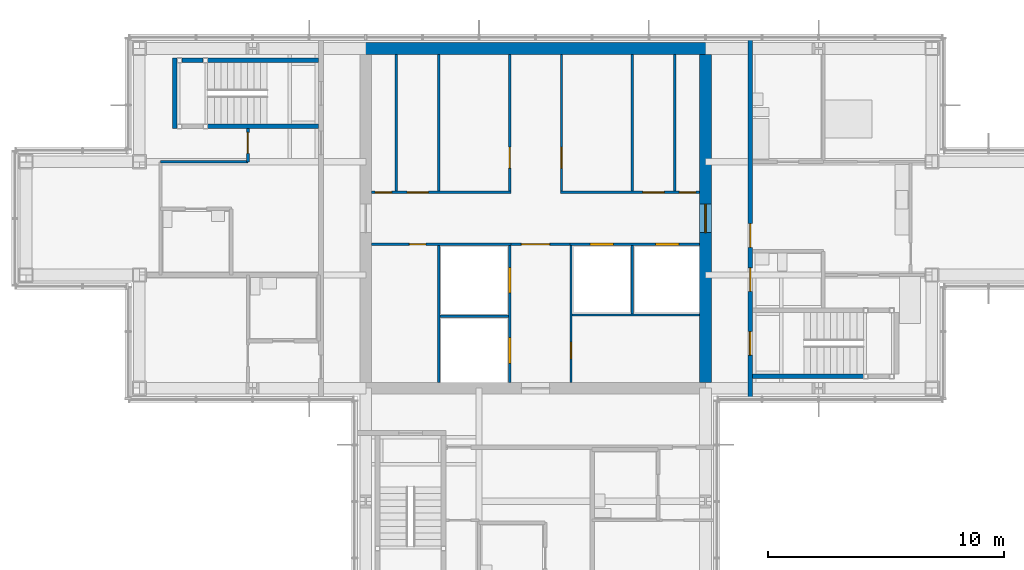
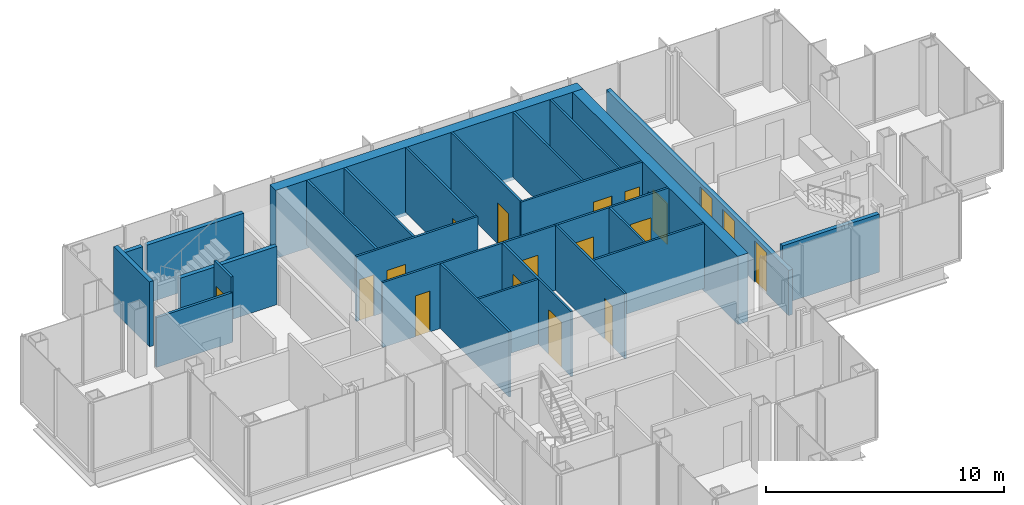
# One storey, part 11 of 15: 27 walls, 18 doors, 18 openings.
"""IFC4 building model written with IfcOpenShell, lengths in metres."""

from ifc_helpers import new_model, si_unit, direction, frame, frame_2d, origin, place, context, subcontext, project, spatial, rectangle, extrude, material, layer, layer_set, type_object, element, fill, save


model = new_model("IFC4")

# Units and contexts
model_context = context("Model", 3, precision=1e-05, world=origin(), true_north=direction((0.0, 1.0)))
body_context = subcontext(model_context, "Body", "Model", "MODEL_VIEW")
ifc_project = project(units=[si_unit("LENGTHUNIT", "METRE"), si_unit("AREAUNIT", "SQUARE_METRE"), si_unit("VOLUMEUNIT", "CUBIC_METRE"), si_unit("PLANEANGLEUNIT", "RADIAN"), si_unit("MASSUNIT", "GRAM", prefix="KILO")], contexts=[model_context])

# Site, building, storey
site_placement = place(None, origin())
site = spatial("IfcSite", under=ifc_project, at=site_placement, CompositionType="ELEMENT")
building_placement = place(site_placement, origin())
building = spatial("IfcBuilding", under=site, at=building_placement, Name="Kvirike Care Tower", CompositionType="ELEMENT")
storey_placement = place(building_placement, frame((0.0, 0.0, 233.0)))
storey = spatial("IfcBuildingStorey", under=building, at=storey_placement, Name="L64", CompositionType="ELEMENT", Elevation=233.0)

# Wall
ifc_material_1 = material(Name="Concrete C40/50", Category="concrete")
ifc_layer_1 = layer(ifc_material_1, 0.5)
ifc_layer_set_1 = layer_set([ifc_layer_1], Name="CORE WALL 500 C40-50")
wall_type_1 = type_object("IfcWallType", Name="CORE WALL 500 C40-50", PredefinedType="SHEAR", material=ifc_layer_set_1)
wall_1_placement = place(storey_placement, frame((29.050048828125, 43.199951171875, -0.169921875), z_axis=(0.0, 0.0, 1.0), x_axis=(-1.0, 0.0, 0.0)))
element("IfcWall", 1, at=wall_1_placement, inside=storey, type_object=wall_type_1, Name="Core wall N L64", PredefinedType="SHEAR", context=body_context, shape_type="SweptSolid", body=[
    extrude(rectangle(XDim=14.900146484375, YDim=0.5, at=frame_2d((7.4501953125, 0.0))), origin(), (0.0, 0.0, 1.0), 3.5),
])

# Wall, opening, door
wall_2_placement = place(storey_placement, frame((28.800048828125, 29.050048828125, -0.169921875), z_axis=(0.0, 0.0, 1.0), x_axis=(0.0, 1.0, 0.0)))
wall_2 = element("IfcWall", 2, at=wall_2_placement, inside=storey, type_object=wall_type_1, Name="Core wall E L64", PredefinedType="SHEAR", context=body_context, shape_type="SweptSolid", body=[
    extrude(rectangle(XDim=13.89990234375, YDim=0.5, at=frame_2d((6.949951171875, 0.0))), origin(), (0.0, 0.0, 1.0), 3.5),
])
opening_1_placement = place(wall_2_placement, frame((6.35009765625, 0.0, 0.169921875)))
opening_1 = element("IfcOpeningElement", 3, at=opening_1_placement, cuts=wall_2, Name="Opening 64-038", PredefinedType="OPENING", context=body_context, shape_type="SweptSolid", body=[
    extrude(rectangle(XDim=1.199951171875, YDim=2.10009765625, at=frame_2d((0.60009765625, 1.050048828125))), frame((0.0, 0.260498046875, 0.0), z_axis=(0.0, -1.0, 0.0), x_axis=(1.0, 0.0, 0.0)), (0.0, 0.0, 1.0), 0.52099609375),
])
ifc_material_2 = material(Name="Timber door set", Category="wood")
door_type_1 = type_object("IfcDoorType", Name="CORE DOOR 1200", OperationType="SINGLE_SWING_LEFT", PredefinedType="DOOR", material=ifc_material_2)
door_1_placement = place(opening_1_placement, origin())
door_1 = element("IfcDoor", 4, at=door_1_placement, inside=storey, type_object=door_type_1, Name="Core door E L64", OperationType="SINGLE_SWING_LEFT", OverallHeight=2.10009765625, OverallWidth=1.199951171875, PredefinedType="DOOR", context=body_context, shape_type="SweptSolid", body=[
    extrude(rectangle(XDim=1.199951171875, YDim=2.10009765625, at=frame_2d((0.60009765625, 1.050048828125))), frame((0.0, 0.02685546875, 0.0), z_axis=(0.0, -1.0, 0.0), x_axis=(1.0, 0.0, 0.0)), (0.0, 0.0, 1.0), 0.053955078125),
])
fill(opening_1, door_1)

# Wall, openings, doors
ifc_material_3 = material(Name="Plasterboard corridor wall", Category="gypsum")
ifc_layer_2 = layer(ifc_material_3, 0.199951171875)
ifc_layer_set_2 = layer_set([ifc_layer_2], Name="CORRIDOR WALL 200")
wall_type_2 = type_object("IfcWallType", Name="CORRIDOR WALL 200", PredefinedType="PARTITIONING", material=ifc_layer_set_2)
wall_3_placement = place(storey_placement, frame((30.699951171875, 28.344970703125, 0.0), z_axis=(0.0, 0.0, 1.0), x_axis=(0.0, 1.0, 0.0)))
wall_3 = element("IfcWall", 5, at=wall_3_placement, inside=storey, type_object=wall_type_2, Name="Corridor Wall 200 L64", PredefinedType="PARTITIONING", context=body_context, shape_type="SweptSolid", body=[
    extrude(rectangle(XDim=15.31005859375, YDim=0.199951171875, at=frame_2d((7.655029296875, 0.0))), origin(), (0.0, 0.0, 1.0), 2.320068359375),
])
opening_2_placement = place(wall_3_placement, frame((1.85498046875, 0.0, 0.0)))
opening_2 = element("IfcOpeningElement", 6, at=opening_2_placement, cuts=wall_3, Name="Opening 64-020", PredefinedType="OPENING", context=body_context, shape_type="SweptSolid", body=[
    extrude(rectangle(XDim=1.0, YDim=2.10009765625, at=frame_2d((0.5, 1.050048828125))), frame((0.0, 0.110595703125, 0.0), z_axis=(0.0, -1.0, 0.0), x_axis=(1.0, 0.0, 0.0)), (0.0, 0.0, 1.0), 0.220947265625),
])
opening_3_placement = place(wall_3_placement, frame((4.554931640625, 0.0, 0.0)))
opening_3 = element("IfcOpeningElement", 7, at=opening_3_placement, cuts=wall_3, Name="Opening 64-021", PredefinedType="OPENING", context=body_context, shape_type="SweptSolid", body=[
    extrude(rectangle(XDim=1.0, YDim=2.10009765625, at=frame_2d((0.5, 1.050048828125))), frame((0.0, 0.110595703125, 0.0), z_axis=(0.0, -1.0, 0.0), x_axis=(1.0, 0.0, 0.0)), (0.0, 0.0, 1.0), 0.220947265625),
])
opening_4_placement = place(wall_3_placement, frame((6.429931640625, 0.0, 0.0)))
opening_4 = element("IfcOpeningElement", 8, at=opening_4_placement, cuts=wall_3, Name="Opening 64-022", PredefinedType="OPENING", context=body_context, shape_type="SweptSolid", body=[
    extrude(rectangle(XDim=1.0, YDim=2.10009765625, at=frame_2d((0.5, 1.050048828125))), frame((0.0, 0.110595703125, 0.0), z_axis=(0.0, -1.0, 0.0), x_axis=(1.0, 0.0, 0.0)), (0.0, 0.0, 1.0), 0.220947265625),
])
ifc_material_4 = material(Name="Timber door set", Category="wood")
door_type_2 = type_object("IfcDoorType", Name="FLAT ENTRANCE DOOR 1000", OperationType="SINGLE_SWING_LEFT", PredefinedType="DOOR", material=ifc_material_4)
door_2_placement = place(opening_4_placement, frame((1.0, 0.0, 0.0), z_axis=(0.0, 0.0, 1.0), x_axis=(-1.0, 0.0, 0.0)))
door_2 = element("IfcDoor", 9, at=door_2_placement, inside=storey, type_object=door_type_2, Name="Two-bedroom apartment entrance", OperationType="SINGLE_SWING_LEFT", OverallHeight=2.10009765625, OverallWidth=1.0, PredefinedType="DOOR", context=body_context, shape_type="SweptSolid", body=[
    extrude(rectangle(XDim=1.0, YDim=2.10009765625, at=frame_2d((0.5, 1.050048828125))), frame((0.0, 0.02685546875, 0.0), z_axis=(0.0, -1.0, 0.0), x_axis=(1.0, 0.0, 0.0)), (0.0, 0.0, 1.0), 0.053955078125),
])
fill(opening_4, door_2)
ifc_material_5 = material(Name="Timber door set", Category="wood")
door_type_3 = type_object("IfcDoorType", Name="STAIR DOOR 1000", OperationType="SINGLE_SWING_LEFT", PredefinedType="DOOR", material=ifc_material_5)
door_3_placement = place(opening_2_placement, frame((1.0, 0.0, 0.0), z_axis=(0.0, 0.0, 1.0), x_axis=(-1.0, 0.0, 0.0)))
door_3 = element("IfcDoor", 10, at=door_3_placement, inside=storey, type_object=door_type_3, Name="Stair 2 door", OperationType="SINGLE_SWING_LEFT", OverallHeight=2.10009765625, OverallWidth=1.0, PredefinedType="DOOR", context=body_context, shape_type="SweptSolid", body=[
    extrude(rectangle(XDim=1.0, YDim=2.10009765625, at=frame_2d((0.5, 1.050048828125))), frame((0.0, 0.031982421875, 0.0), z_axis=(0.0, -1.0, 0.0), x_axis=(1.0, 0.0, 0.0)), (0.0, 0.0, 1.0), 0.06396484375),
])
fill(opening_2, door_3)
ifc_material_6 = material(Name="Timber door set", Category="wood")
door_type_4 = type_object("IfcDoorType", Name="WC DOOR 1000", OperationType="SINGLE_SWING_LEFT", PredefinedType="DOOR", material=ifc_material_6)
door_4_placement = place(opening_3_placement, frame((1.0, 0.0, 0.0), z_axis=(0.0, 0.0, 1.0), x_axis=(-1.0, 0.0, 0.0)))
door_4 = element("IfcDoor", 11, at=door_4_placement, inside=storey, type_object=door_type_4, Name="Accessible WC door", OperationType="SINGLE_SWING_LEFT", OverallHeight=2.10009765625, OverallWidth=1.0, PredefinedType="DOOR", context=body_context, shape_type="SweptSolid", body=[
    extrude(rectangle(XDim=1.0, YDim=2.10009765625, at=frame_2d((0.5, 1.050048828125))), frame((0.0, 0.02685546875, 0.0), z_axis=(0.0, -1.0, 0.0), x_axis=(1.0, 0.0, 0.0)), (0.0, 0.0, 1.0), 0.053955078125),
])
fill(opening_3, door_4)

# Wall, opening, door
ifc_material_7 = material(Name="Plasterboard partition", Category="gypsum")
ifc_layer_3 = layer(ifc_material_7, 0.1201171875)
ifc_layer_set_3 = layer_set([ifc_layer_3], Name="PARTITION 120")
wall_type_3 = type_object("IfcWallType", Name="PARTITION 120", PredefinedType="PARTITIONING", material=ifc_layer_set_3)
wall_4_placement = place(storey_placement, frame((9.39990234375, 39.800048828125, 0.0), z_axis=(0.0, 0.0, 1.0), x_axis=(0.0, -1.0, 0.0)))
wall_4 = element("IfcWall", 12, at=wall_4_placement, inside=storey, type_object=wall_type_3, Name="Partition 120 L64", PredefinedType="PARTITIONING", context=body_context, shape_type="SweptSolid", body=[
    extrude(rectangle(XDim=1.400146484375, YDim=0.1201171875, at=frame_2d((0.7001953125, 0.0))), origin(), (0.0, 0.0, 1.0), 3.330078125),
])
opening_5_placement = place(wall_4_placement, frame((0.14990234375, 0.0, 0.0)))
opening_5 = element("IfcOpeningElement", 13, at=opening_5_placement, cuts=wall_4, Name="Opening 64-002", PredefinedType="OPENING", context=body_context, shape_type="SweptSolid", body=[
    extrude(rectangle(XDim=0.89990234375, YDim=2.10009765625, at=frame_2d((0.449951171875, 1.050048828125))), frame((0.0, 0.070556640625, 0.0), z_axis=(0.0, -1.0, 0.0), x_axis=(1.0, 0.0, 0.0)), (0.0, 0.0, 1.0), 0.14111328125),
])
ifc_material_8 = material(Name="Timber door set", Category="wood")
door_type_5 = type_object("IfcDoorType", Name="INTERNAL DOOR 900", OperationType="SINGLE_SWING_LEFT", PredefinedType="DOOR", material=ifc_material_8)
door_5_placement = place(opening_5_placement, origin())
door_5 = element("IfcDoor", 14, at=door_5_placement, inside=storey, type_object=door_type_5, Name="Staff training room door", OperationType="SINGLE_SWING_RIGHT", OverallHeight=2.10009765625, OverallWidth=0.89990234375, PredefinedType="DOOR", context=body_context, shape_type="SweptSolid", body=[
    extrude(rectangle(XDim=0.89990234375, YDim=2.10009765625, at=frame_2d((0.449951171875, 1.050048828125))), frame((0.0, 0.02197265625, 0.0), z_axis=(0.0, -1.0, 0.0), x_axis=(1.0, 0.0, 0.0)), (0.0, 0.0, 1.0), 0.0439453125),
])
fill(opening_5, door_5)

# Walls
wall_5_placement = place(storey_placement, frame((5.699951171875, 38.39990234375, 0.0), z_axis=(0.0, 0.0, 1.0), x_axis=(1.0, 0.0, 0.0)))
element("IfcWall", 15, at=wall_5_placement, inside=storey, type_object=wall_type_3, Name="Partition 120 L64", PredefinedType="PARTITIONING", context=body_context, shape_type="SweptSolid", body=[
    extrude(rectangle(XDim=3.699951171875, YDim=0.1201171875, at=frame_2d((1.85009765625, 0.0))), origin(), (0.0, 0.0, 1.0), 2.550048828125),
])
ifc_material_9 = material(Name="Gypsum shaft wall system", Category="gypsum")
ifc_layer_4 = layer(ifc_material_9, 0.10009765625)
ifc_layer_set_4 = layer_set([ifc_layer_4], Name="SHAFT WALL 100")
wall_type_4 = type_object("IfcWallType", Name="SHAFT WALL 100", PredefinedType="SOLIDWALL", material=ifc_layer_set_4)
for number, where, z_axis, x_axis, name in (
    (16, (15.699951171875, 37.14990234375, 0.0), (0.0, 0.0, 1.0), (0.0, 1.0, 0.0), "Shaft Wall 100 L64"),
    (17, (27.5, 37.14990234375, 0.0), (0.0, 0.0, 1.0), (0.0, 1.0, 0.0), "Shaft Wall 100 L64"),
):
    element("IfcWall", number, at=place(storey_placement, frame(where, z_axis=z_axis, x_axis=x_axis)), inside=storey, type_object=wall_type_4, Name=name, PredefinedType="SOLIDWALL", context=body_context, shape_type="SweptSolid", body=[
        extrude(rectangle(XDim=5.800048828125, YDim=0.10009765625, at=frame_2d((2.89990234375, 0.0))), origin(), (0.0, 0.0, 1.0), 3.330078125),
    ])

# Wall, openings, doors
wall_6_placement = place(storey_placement, frame((20.5, 29.050048828125, 0.0), z_axis=(0.0, 0.0, 1.0), x_axis=(0.0, 1.0, 0.0)))
wall_6 = element("IfcWall", 18, at=wall_6_placement, inside=storey, type_object=wall_type_4, Name="Shaft Wall 100 L64", PredefinedType="SOLIDWALL", context=body_context, shape_type="SweptSolid", body=[
    extrude(rectangle(XDim=5.800048828125, YDim=0.10009765625, at=frame_2d((2.89990234375, 0.0))), origin(), (0.0, 0.0, 1.0), 3.330078125),
])
opening_6_placement = place(wall_6_placement, frame((0.800048828125, 0.0, 0.0)))
opening_6 = element("IfcOpeningElement", 19, at=opening_6_placement, cuts=wall_6, Name="Opening 64-023", PredefinedType="OPENING", context=body_context, shape_type="SweptSolid", body=[
    extrude(rectangle(XDim=1.10009765625, YDim=2.300048828125, at=frame_2d((0.550048828125, 1.14990234375))), frame((0.0, 0.060546875, 0.0), z_axis=(0.0, -1.0, 0.0), x_axis=(1.0, 0.0, 0.0)), (0.0, 0.0, 1.0), 0.12109375),
])
opening_7_placement = place(wall_6_placement, frame((3.77490234375, 0.0, 0.0)))
opening_7 = element("IfcOpeningElement", 20, at=opening_7_placement, cuts=wall_6, Name="Opening 64-024", PredefinedType="OPENING", context=body_context, shape_type="SweptSolid", body=[
    extrude(rectangle(XDim=1.10009765625, YDim=2.300048828125, at=frame_2d((0.550048828125, 1.14990234375))), frame((0.0, 0.060546875, 0.0), z_axis=(0.0, -1.0, 0.0), x_axis=(1.0, 0.0, 0.0)), (0.0, 0.0, 1.0), 0.12109375),
])
ifc_material_10 = material(Name="Aluminium door frame", Category="aluminium")
door_type_6 = type_object("IfcDoorType", Name="FIRE-FIGHTING LIFT LANDING DOOR 1100", OperationType="SLIDING_TO_LEFT", PredefinedType="DOOR", material=ifc_material_10)
door_6_placement = place(opening_6_placement, origin())
door_6 = element("IfcDoor", 21, at=door_6_placement, inside=storey, type_object=door_type_6, Name="Lift FF1 landing door", OperationType="SLIDING_TO_LEFT", OverallHeight=2.300048828125, OverallWidth=1.10009765625, PredefinedType="DOOR", context=body_context, shape_type="SweptSolid", body=[
    extrude(rectangle(XDim=1.10009765625, YDim=2.300048828125, at=frame_2d((0.550048828125, 1.14990234375))), frame((0.0, 0.0498046875, 0.0), z_axis=(0.0, -1.0, 0.0), x_axis=(1.0, 0.0, 0.0)), (0.0, 0.0, 1.0), 0.099609375),
])
fill(opening_6, door_6)
door_7_placement = place(opening_7_placement, origin())
door_7 = element("IfcDoor", 22, at=door_7_placement, inside=storey, type_object=door_type_6, Name="Lift FF2 landing door", OperationType="SLIDING_TO_LEFT", OverallHeight=2.300048828125, OverallWidth=1.10009765625, PredefinedType="DOOR", context=body_context, shape_type="SweptSolid", body=[
    extrude(rectangle(XDim=1.10009765625, YDim=2.300048828125, at=frame_2d((0.550048828125, 1.14990234375))), frame((0.0, 0.0498046875, 0.0), z_axis=(0.0, -1.0, 0.0), x_axis=(1.0, 0.0, 0.0)), (0.0, 0.0, 1.0), 0.099609375),
])
fill(opening_7, door_7)

# Wall, opening, door
wall_7_placement = place(storey_placement, frame((20.5, 37.14990234375, 0.0), z_axis=(0.0, 0.0, 1.0), x_axis=(0.0, 1.0, 0.0)))
wall_7 = element("IfcWall", 23, at=wall_7_placement, inside=storey, type_object=wall_type_4, Name="Shaft Wall 100 L64", PredefinedType="SOLIDWALL", context=body_context, shape_type="SweptSolid", body=[
    extrude(rectangle(XDim=5.800048828125, YDim=0.10009765625, at=frame_2d((2.89990234375, 0.0))), origin(), (0.0, 0.0, 1.0), 3.330078125),
])
opening_8_placement = place(wall_7_placement, frame((0.97509765625, 0.0, 0.0)))
opening_8 = element("IfcOpeningElement", 24, at=opening_8_placement, cuts=wall_7, Name="Opening 64-025", PredefinedType="OPENING", context=body_context, shape_type="SweptSolid", body=[
    extrude(rectangle(XDim=0.89990234375, YDim=2.10009765625, at=frame_2d((0.449951171875, 1.050048828125))), frame((0.0, 0.060546875, 0.0), z_axis=(0.0, -1.0, 0.0), x_axis=(1.0, 0.0, 0.0)), (0.0, 0.0, 1.0), 0.12109375),
])
ifc_material_11 = material(Name="Timber door set", Category="wood")
door_type_7 = type_object("IfcDoorType", Name="STORE DOOR 900", OperationType="SINGLE_SWING_LEFT", PredefinedType="DOOR", material=ifc_material_11)
door_8_placement = place(opening_8_placement, origin())
door_8 = element("IfcDoor", 25, at=door_8_placement, inside=storey, type_object=door_type_7, Name="Staff room door", OperationType="SINGLE_SWING_RIGHT", OverallHeight=2.10009765625, OverallWidth=0.89990234375, PredefinedType="DOOR", context=body_context, shape_type="SweptSolid", body=[
    extrude(rectangle(XDim=0.89990234375, YDim=2.10009765625, at=frame_2d((0.449951171875, 1.050048828125))), frame((0.0, 0.02685546875, 0.0), z_axis=(0.0, -1.0, 0.0), x_axis=(1.0, 0.0, 0.0)), (0.0, 0.0, 1.0), 0.053955078125),
])
fill(opening_8, door_8)

wall_8_placement = place(storey_placement, frame((22.699951171875, 37.14990234375, 0.0), z_axis=(0.0, 0.0, 1.0), x_axis=(0.0, 1.0, 0.0)))
wall_8 = element("IfcWall", 26, at=wall_8_placement, inside=storey, type_object=wall_type_4, Name="Shaft Wall 100 L64", PredefinedType="SOLIDWALL", context=body_context, shape_type="SweptSolid", body=[
    extrude(rectangle(XDim=5.800048828125, YDim=0.10009765625, at=frame_2d((2.89990234375, 0.0))), origin(), (0.0, 0.0, 1.0), 3.330078125),
])
opening_9_placement = place(wall_8_placement, frame((0.97509765625, 0.0, 0.0)))
opening_9 = element("IfcOpeningElement", 27, at=opening_9_placement, cuts=wall_8, Name="Opening 64-026", PredefinedType="OPENING", context=body_context, shape_type="SweptSolid", body=[
    extrude(rectangle(XDim=0.89990234375, YDim=2.10009765625, at=frame_2d((0.449951171875, 1.050048828125))), frame((0.0, 0.060546875, 0.0), z_axis=(0.0, -1.0, 0.0), x_axis=(1.0, 0.0, 0.0)), (0.0, 0.0, 1.0), 0.12109375),
])
door_9_placement = place(opening_9_placement, frame((0.89990234375, 0.0, 0.0), z_axis=(0.0, 0.0, 1.0), x_axis=(-1.0, 0.0, 0.0)))
door_9 = element("IfcDoor", 28, at=door_9_placement, inside=storey, type_object=door_type_7, Name="Records store door", OperationType="SINGLE_SWING_LEFT", OverallHeight=2.10009765625, OverallWidth=0.89990234375, PredefinedType="DOOR", context=body_context, shape_type="SweptSolid", body=[
    extrude(rectangle(XDim=0.89990234375, YDim=2.10009765625, at=frame_2d((0.449951171875, 1.050048828125))), frame((0.0, 0.02685546875, 0.0), z_axis=(0.0, -1.0, 0.0), x_axis=(1.0, 0.0, 0.0)), (0.0, 0.0, 1.0), 0.053955078125),
])
fill(opening_9, door_9)

wall_9_placement = place(storey_placement, frame((23.10009765625, 29.050048828125, 0.0), z_axis=(0.0, 0.0, 1.0), x_axis=(0.0, 1.0, 0.0)))
wall_9 = element("IfcWall", 29, at=wall_9_placement, inside=storey, type_object=wall_type_4, Name="Shaft Wall 100 L64", PredefinedType="SOLIDWALL", context=body_context, shape_type="SweptSolid", body=[
    extrude(rectangle(XDim=5.800048828125, YDim=0.10009765625, at=frame_2d((2.89990234375, 0.0))), origin(), (0.0, 0.0, 1.0), 3.330078125),
])
opening_10_placement = place(wall_9_placement, frame((1.0, 0.0, 0.0)))
opening_10 = element("IfcOpeningElement", 30, at=opening_10_placement, cuts=wall_9, Name="Opening 64-027", PredefinedType="OPENING", context=body_context, shape_type="SweptSolid", body=[
    extrude(rectangle(XDim=0.699951171875, YDim=2.10009765625, at=frame_2d((0.35009765625, 1.050048828125))), frame((0.0, 0.060546875, 0.0), z_axis=(0.0, -1.0, 0.0), x_axis=(1.0, 0.0, 0.0)), (0.0, 0.0, 1.0), 0.12109375),
])
ifc_material_12 = material(Name="Timber door set", Category="wood")
door_type_8 = type_object("IfcDoorType", Name="RISER DOOR 700", OperationType="SINGLE_SWING_LEFT", PredefinedType="DOOR", material=ifc_material_12)
door_10_placement = place(opening_10_placement, origin())
door_10 = element("IfcDoor", 31, at=door_10_placement, inside=storey, type_object=door_type_8, Name="Riser door", OperationType="SINGLE_SWING_RIGHT", OverallHeight=2.10009765625, OverallWidth=0.699951171875, PredefinedType="DOOR", context=body_context, shape_type="SweptSolid", body=[
    extrude(rectangle(XDim=0.699951171875, YDim=2.10009765625, at=frame_2d((0.35009765625, 1.050048828125))), frame((0.0, 0.02685546875, 0.0), z_axis=(0.0, -1.0, 0.0), x_axis=(1.0, 0.0, 0.0)), (0.0, 0.0, 1.0), 0.053955078125),
])
fill(opening_10, door_10)

wall_10_placement = place(storey_placement, frame((14.64990234375, 34.89990234375, 0.0), z_axis=(0.0, 0.0, 1.0), x_axis=(1.0, 0.0, 0.0)))
wall_10 = element("IfcWall", 32, at=wall_10_placement, inside=storey, type_object=wall_type_4, Name="Shaft Wall 100 L64", PredefinedType="SOLIDWALL", context=body_context, shape_type="SweptSolid", body=[
    extrude(rectangle(XDim=5.900146484375, YDim=0.10009765625, at=frame_2d((2.9501953125, 0.0))), origin(), (0.0, 0.0, 1.0), 3.330078125),
])
opening_11_placement = place(wall_10_placement, frame((1.60009765625, 0.0, 0.0)))
opening_11 = element("IfcOpeningElement", 33, at=opening_11_placement, cuts=wall_10, Name="Opening 64-028", PredefinedType="OPENING", context=body_context, shape_type="SweptSolid", body=[
    extrude(rectangle(XDim=0.699951171875, YDim=2.10009765625, at=frame_2d((0.35009765625, 1.050048828125))), frame((0.0, 0.060546875, 0.0), z_axis=(0.0, -1.0, 0.0), x_axis=(1.0, 0.0, 0.0)), (0.0, 0.0, 1.0), 0.12109375),
])
door_11_placement = place(opening_11_placement, frame((0.699951171875, 0.0, 0.0), z_axis=(0.0, 0.0, 1.0), x_axis=(-1.0, 0.0, 0.0)))
door_11 = element("IfcDoor", 34, at=door_11_placement, inside=storey, type_object=door_type_8, Name="Riser door", OperationType="SINGLE_SWING_RIGHT", OverallHeight=2.10009765625, OverallWidth=0.699951171875, PredefinedType="DOOR", context=body_context, shape_type="SweptSolid", body=[
    extrude(rectangle(XDim=0.699951171875, YDim=2.10009765625, at=frame_2d((0.35009765625, 1.050048828125))), frame((0.0, 0.02685546875, 0.0), z_axis=(0.0, -1.0, 0.0), x_axis=(1.0, 0.0, 0.0)), (0.0, 0.0, 1.0), 0.053955078125),
])
fill(opening_11, door_11)

# Wall, openings, doors
wall_11_placement = place(storey_placement, frame((23.050048828125, 34.89990234375, 0.0), z_axis=(0.0, 0.0, 1.0), x_axis=(1.0, 0.0, 0.0)))
wall_11 = element("IfcWall", 35, at=wall_11_placement, inside=storey, type_object=wall_type_4, Name="Shaft Wall 100 L64", PredefinedType="SOLIDWALL", context=body_context, shape_type="SweptSolid", body=[
    extrude(rectangle(XDim=5.5, YDim=0.10009765625, at=frame_2d((2.75, 0.0))), origin(), (0.0, 0.0, 1.0), 3.330078125),
])
opening_12_placement = place(wall_11_placement, frame((0.85009765625, 0.0, 0.0)))
opening_12 = element("IfcOpeningElement", 36, at=opening_12_placement, cuts=wall_11, Name="Opening 64-029", PredefinedType="OPENING", context=body_context, shape_type="SweptSolid", body=[
    extrude(rectangle(XDim=1.0, YDim=2.10009765625, at=frame_2d((0.5, 1.050048828125))), frame((0.0, 0.060546875, 0.0), z_axis=(0.0, -1.0, 0.0), x_axis=(1.0, 0.0, 0.0)), (0.0, 0.0, 1.0), 0.12109375),
])
opening_13_placement = place(wall_11_placement, frame((3.625, 0.0, 0.0)))
opening_13 = element("IfcOpeningElement", 37, at=opening_13_placement, cuts=wall_11, Name="Opening 64-030", PredefinedType="OPENING", context=body_context, shape_type="SweptSolid", body=[
    extrude(rectangle(XDim=1.0, YDim=2.10009765625, at=frame_2d((0.5, 1.050048828125))), frame((0.0, 0.060546875, 0.0), z_axis=(0.0, -1.0, 0.0), x_axis=(1.0, 0.0, 0.0)), (0.0, 0.0, 1.0), 0.12109375),
])
ifc_material_13 = material(Name="Aluminium door frame", Category="aluminium")
door_type_9 = type_object("IfcDoorType", Name="LIFT LANDING DOOR 1000", OperationType="SLIDING_TO_LEFT", PredefinedType="DOOR", material=ifc_material_13)
door_12_placement = place(opening_12_placement, origin())
door_12 = element("IfcDoor", 38, at=door_12_placement, inside=storey, type_object=door_type_9, Name="Lift P5 landing door", OperationType="SLIDING_TO_LEFT", OverallHeight=2.10009765625, OverallWidth=1.0, PredefinedType="DOOR", context=body_context, shape_type="SweptSolid", body=[
    extrude(rectangle(XDim=1.0, YDim=2.10009765625, at=frame_2d((0.5, 1.050048828125))), frame((0.0, 0.0498046875, 0.0), z_axis=(0.0, -1.0, 0.0), x_axis=(1.0, 0.0, 0.0)), (0.0, 0.0, 1.0), 0.099609375),
])
fill(opening_12, door_12)
door_13_placement = place(opening_13_placement, origin())
door_13 = element("IfcDoor", 39, at=door_13_placement, inside=storey, type_object=door_type_9, Name="Lift P6 landing door", OperationType="SLIDING_TO_LEFT", OverallHeight=2.10009765625, OverallWidth=1.0, PredefinedType="DOOR", context=body_context, shape_type="SweptSolid", body=[
    extrude(rectangle(XDim=1.0, YDim=2.10009765625, at=frame_2d((0.5, 1.050048828125))), frame((0.0, 0.0498046875, 0.0), z_axis=(0.0, -1.0, 0.0), x_axis=(1.0, 0.0, 0.0)), (0.0, 0.0, 1.0), 0.099609375),
])
fill(opening_13, door_13)

wall_12_placement = place(storey_placement, frame((14.64990234375, 37.10009765625, 0.0), z_axis=(0.0, 0.0, 1.0), x_axis=(1.0, 0.0, 0.0)))
wall_12 = element("IfcWall", 40, at=wall_12_placement, inside=storey, type_object=wall_type_4, Name="Shaft Wall 100 L64", PredefinedType="SOLIDWALL", context=body_context, shape_type="SweptSolid", body=[
    extrude(rectangle(XDim=5.900146484375, YDim=0.10009765625, at=frame_2d((2.9501953125, 0.0))), origin(), (0.0, 0.0, 1.0), 3.330078125),
])
opening_14_placement = place(wall_12_placement, frame((0.14990234375, 0.0, 0.0)))
opening_14 = element("IfcOpeningElement", 41, at=opening_14_placement, cuts=wall_12, Name="Opening 64-031", PredefinedType="OPENING", context=body_context, shape_type="SweptSolid", body=[
    extrude(rectangle(XDim=0.699951171875, YDim=2.10009765625, at=frame_2d((0.35009765625, 1.050048828125))), frame((0.0, 0.060546875, 0.0), z_axis=(0.0, -1.0, 0.0), x_axis=(1.0, 0.0, 0.0)), (0.0, 0.0, 1.0), 0.12109375),
])
opening_15_placement = place(wall_12_placement, frame((1.5, 0.0, 0.0)))
opening_15 = element("IfcOpeningElement", 42, at=opening_15_placement, cuts=wall_12, Name="Opening 64-032", PredefinedType="OPENING", context=body_context, shape_type="SweptSolid", body=[
    extrude(rectangle(XDim=0.89990234375, YDim=2.10009765625, at=frame_2d((0.449951171875, 1.050048828125))), frame((0.0, 0.060546875, 0.0), z_axis=(0.0, -1.0, 0.0), x_axis=(1.0, 0.0, 0.0)), (0.0, 0.0, 1.0), 0.12109375),
])
door_14_placement = place(opening_14_placement, origin())
door_14 = element("IfcDoor", 43, at=door_14_placement, inside=storey, type_object=door_type_8, Name="Riser door", OperationType="SINGLE_SWING_RIGHT", OverallHeight=2.10009765625, OverallWidth=0.699951171875, PredefinedType="DOOR", context=body_context, shape_type="SweptSolid", body=[
    extrude(rectangle(XDim=0.699951171875, YDim=2.10009765625, at=frame_2d((0.35009765625, 1.050048828125))), frame((0.0, 0.02685546875, 0.0), z_axis=(0.0, -1.0, 0.0), x_axis=(1.0, 0.0, 0.0)), (0.0, 0.0, 1.0), 0.053955078125),
])
fill(opening_14, door_14)
door_15_placement = place(opening_15_placement, origin())
door_15 = element("IfcDoor", 44, at=door_15_placement, inside=storey, type_object=door_type_7, Name="Linen store door", OperationType="SINGLE_SWING_LEFT", OverallHeight=2.10009765625, OverallWidth=0.89990234375, PredefinedType="DOOR", context=body_context, shape_type="SweptSolid", body=[
    extrude(rectangle(XDim=0.89990234375, YDim=2.10009765625, at=frame_2d((0.449951171875, 1.050048828125))), frame((0.0, 0.02685546875, 0.0), z_axis=(0.0, -1.0, 0.0), x_axis=(1.0, 0.0, 0.0)), (0.0, 0.0, 1.0), 0.053955078125),
])
fill(opening_15, door_15)

wall_13_placement = place(storey_placement, frame((22.64990234375, 37.10009765625, 0.0), z_axis=(0.0, 0.0, 1.0), x_axis=(1.0, 0.0, 0.0)))
wall_13 = element("IfcWall", 45, at=wall_13_placement, inside=storey, type_object=wall_type_4, Name="Shaft Wall 100 L64", PredefinedType="SOLIDWALL", context=body_context, shape_type="SweptSolid", body=[
    extrude(rectangle(XDim=5.900146484375, YDim=0.10009765625, at=frame_2d((2.9501953125, 0.0))), origin(), (0.0, 0.0, 1.0), 3.330078125),
])
opening_16_placement = place(wall_13_placement, frame((3.5, 0.0, 0.0)))
opening_16 = element("IfcOpeningElement", 46, at=opening_16_placement, cuts=wall_13, Name="Opening 64-033", PredefinedType="OPENING", context=body_context, shape_type="SweptSolid", body=[
    extrude(rectangle(XDim=0.89990234375, YDim=2.10009765625, at=frame_2d((0.449951171875, 1.050048828125))), frame((0.0, 0.060546875, 0.0), z_axis=(0.0, -1.0, 0.0), x_axis=(1.0, 0.0, 0.0)), (0.0, 0.0, 1.0), 0.12109375),
])
opening_17_placement = place(wall_13_placement, frame((5.050048828125, 0.0, 0.0)))
opening_17 = element("IfcOpeningElement", 47, at=opening_17_placement, cuts=wall_13, Name="Opening 64-034", PredefinedType="OPENING", context=body_context, shape_type="SweptSolid", body=[
    extrude(rectangle(XDim=0.699951171875, YDim=2.10009765625, at=frame_2d((0.35009765625, 1.050048828125))), frame((0.0, 0.060546875, 0.0), z_axis=(0.0, -1.0, 0.0), x_axis=(1.0, 0.0, 0.0)), (0.0, 0.0, 1.0), 0.12109375),
])
door_16_placement = place(opening_17_placement, origin())
door_16 = element("IfcDoor", 48, at=door_16_placement, inside=storey, type_object=door_type_8, Name="Riser door", OperationType="SINGLE_SWING_LEFT", OverallHeight=2.10009765625, OverallWidth=0.699951171875, PredefinedType="DOOR", context=body_context, shape_type="SweptSolid", body=[
    extrude(rectangle(XDim=0.699951171875, YDim=2.10009765625, at=frame_2d((0.35009765625, 1.050048828125))), frame((0.0, 0.02685546875, 0.0), z_axis=(0.0, -1.0, 0.0), x_axis=(1.0, 0.0, 0.0)), (0.0, 0.0, 1.0), 0.053955078125),
])
fill(opening_17, door_16)
door_17_placement = place(opening_16_placement, origin())
door_17 = element("IfcDoor", 49, at=door_17_placement, inside=storey, type_object=door_type_7, Name="IT room door", OperationType="SINGLE_SWING_LEFT", OverallHeight=2.10009765625, OverallWidth=0.89990234375, PredefinedType="DOOR", context=body_context, shape_type="SweptSolid", body=[
    extrude(rectangle(XDim=0.89990234375, YDim=2.10009765625, at=frame_2d((0.449951171875, 1.050048828125))), frame((0.0, 0.02685546875, 0.0), z_axis=(0.0, -1.0, 0.0), x_axis=(1.0, 0.0, 0.0)), (0.0, 0.0, 1.0), 0.053955078125),
])
fill(opening_16, door_17)

# Wall, opening, door
wall_14_placement = place(storey_placement, frame((20.550048828125, 34.89990234375, 0.0), z_axis=(0.0, 0.0, 1.0), x_axis=(1.0, 0.0, 0.0)))
wall_14 = element("IfcWall", 50, at=wall_14_placement, inside=storey, type_object=wall_type_4, Name="Shaft Wall 100 L64", PredefinedType="SOLIDWALL", context=body_context, shape_type="SweptSolid", body=[
    extrude(rectangle(XDim=2.5, YDim=0.10009765625, at=frame_2d((1.25, 0.0))), origin(), (0.0, 0.0, 1.0), 3.330078125),
])
opening_18_placement = place(wall_14_placement, frame((0.449951171875, 0.0, 0.0)))
opening_18 = element("IfcOpeningElement", 51, at=opening_18_placement, cuts=wall_14, Name="Opening 64-035", PredefinedType="OPENING", context=body_context, shape_type="SweptSolid", body=[
    extrude(rectangle(XDim=1.199951171875, YDim=2.10009765625, at=frame_2d((0.60009765625, 1.050048828125))), frame((0.0, 0.060546875, 0.0), z_axis=(0.0, -1.0, 0.0), x_axis=(1.0, 0.0, 0.0)), (0.0, 0.0, 1.0), 0.12109375),
])
door_18_placement = place(opening_18_placement, frame((1.199951171875, 0.0, 0.0), z_axis=(0.0, 0.0, 1.0), x_axis=(-1.0, 0.0, 0.0)))
door_18 = element("IfcDoor", 52, at=door_18_placement, inside=storey, type_object=door_type_1, Name="Fire-fighting lobby door", OperationType="SINGLE_SWING_LEFT", OverallHeight=2.10009765625, OverallWidth=1.199951171875, PredefinedType="DOOR", context=body_context, shape_type="SweptSolid", body=[
    extrude(rectangle(XDim=1.199951171875, YDim=2.10009765625, at=frame_2d((0.60009765625, 1.050048828125))), frame((0.0, 0.02685546875, 0.0), z_axis=(0.0, -1.0, 0.0), x_axis=(1.0, 0.0, 0.0)), (0.0, 0.0, 1.0), 0.053955078125),
])
fill(opening_18, door_18)

# Walls
wall_15_placement = place(storey_placement, frame((17.5, 29.050048828125, 0.0), z_axis=(0.0, 0.0, 1.0), x_axis=(0.0, 1.0, 0.0)))
element("IfcWall", 53, at=wall_15_placement, inside=storey, type_object=wall_type_4, Name="Shaft Wall 100 L64", PredefinedType="SOLIDWALL", context=body_context, shape_type="SweptSolid", body=[
    extrude(rectangle(XDim=5.800048828125, YDim=0.10009765625, at=frame_2d((2.89990234375, 0.0))), origin(), (0.0, 0.0, 1.0), 3.330078125),
])
wall_16_placement = place(storey_placement, frame((17.550048828125, 31.85009765625, 0.0), z_axis=(0.0, 0.0, 1.0), x_axis=(1.0, 0.0, 0.0)))
element("IfcWall", 54, at=wall_16_placement, inside=storey, type_object=wall_type_4, Name="Shaft Wall 100 L64", PredefinedType="SOLIDWALL", context=body_context, shape_type="SweptSolid", body=[
    extrude(rectangle(XDim=2.89990234375, YDim=0.10009765625, at=frame_2d((1.449951171875, 0.0))), origin(), (0.0, 0.0, 1.0), 3.330078125),
])
for number, where, z_axis, x_axis, name in (
    (55, (17.5, 37.14990234375, 0.0), (0.0, 0.0, 1.0), (0.0, 1.0, 0.0), "Shaft Wall 100 L64"),
    (56, (25.699951171875, 37.14990234375, 0.0), (0.0, 0.0, 1.0), (0.0, 1.0, 0.0), "Shaft Wall 100 L64"),
):
    element("IfcWall", number, at=place(storey_placement, frame(where, z_axis=z_axis, x_axis=x_axis)), inside=storey, type_object=wall_type_4, Name=name, PredefinedType="SOLIDWALL", context=body_context, shape_type="SweptSolid", body=[
        extrude(rectangle(XDim=5.800048828125, YDim=0.10009765625, at=frame_2d((2.89990234375, 0.0))), origin(), (0.0, 0.0, 1.0), 3.330078125),
    ])
wall_17_placement = place(storey_placement, frame((25.699951171875, 31.949951171875, 0.0), z_axis=(0.0, 0.0, 1.0), x_axis=(0.0, 1.0, 0.0)))
element("IfcWall", 57, at=wall_17_placement, inside=storey, type_object=wall_type_4, Name="Shaft Wall 100 L64", PredefinedType="SOLIDWALL", context=body_context, shape_type="SweptSolid", body=[
    extrude(rectangle(XDim=2.900146484375, YDim=0.10009765625, at=frame_2d((1.4501953125, 0.0))), origin(), (0.0, 0.0, 1.0), 3.330078125),
])
wall_18_placement = place(storey_placement, frame((23.14990234375, 31.89990234375, 0.0), z_axis=(0.0, 0.0, 1.0), x_axis=(1.0, 0.0, 0.0)))
element("IfcWall", 58, at=wall_18_placement, inside=storey, type_object=wall_type_4, Name="Shaft Wall 100 L64", PredefinedType="SOLIDWALL", context=body_context, shape_type="SweptSolid", body=[
    extrude(rectangle(XDim=5.400146484375, YDim=0.10009765625, at=frame_2d((2.7001953125, 0.0))), origin(), (0.0, 0.0, 1.0), 3.330078125),
])
ifc_material_14 = material(Name="Concrete C40/50", Category="concrete")
ifc_layer_5 = layer(ifc_material_14, 0.199951171875)
ifc_layer_set_5 = layer_set([ifc_layer_5], Name="STAIR WALL 200")
wall_type_5 = type_object("IfcWallType", Name="STAIR WALL 200", PredefinedType="SOLIDWALL", material=ifc_layer_set_5)
wall_19_placement = place(storey_placement, frame((6.60009765625, 42.699951171875, 0.0), z_axis=(0.0, 0.0, 1.0), x_axis=(1.0, 0.0, 0.0)))
element("IfcWall", 59, at=wall_19_placement, inside=storey, type_object=wall_type_5, Name="Stair Wall 200 L64", PredefinedType="SOLIDWALL", context=body_context, shape_type="SweptSolid", body=[
    extrude(rectangle(XDim=0.89990234375, YDim=0.199951171875, at=frame_2d((0.449951171875, 0.0))), origin(), (0.0, 0.0, 1.0), 2.989990234375),
])
for number, where, z_axis, x_axis, name in (
    (60, (7.699951171875, 42.699951171875, 0.0), (0.0, 0.0, 1.0), (1.0, 0.0, 0.0), "Stair Wall 200 L64"),
    (61, (7.699951171875, 39.89990234375, 0.0), (0.0, 0.0, 1.0), (1.0, 0.0, 0.0), "Stair Wall 200 L64"),
):
    element("IfcWall", number, at=place(storey_placement, frame(where, z_axis=z_axis, x_axis=x_axis)), inside=storey, type_object=wall_type_5, Name=name, PredefinedType="SOLIDWALL", context=body_context, shape_type="SweptSolid", body=[
        extrude(rectangle(XDim=4.699951171875, YDim=0.199951171875, at=frame_2d((2.35009765625, 0.0))), origin(), (0.0, 0.0, 1.0), 2.989990234375),
    ])
wall_20_placement = place(storey_placement, frame((6.300048828125, 42.800048828125, 0.0), z_axis=(0.0, 0.0, 1.0), x_axis=(0.0, -1.0, 0.0)))
element("IfcWall", 62, at=wall_20_placement, inside=storey, type_object=wall_type_5, Name="Stair Wall 200 L64", PredefinedType="SOLIDWALL", context=body_context, shape_type="SweptSolid", body=[
    extrude(rectangle(XDim=3.0, YDim=0.199951171875, at=frame_2d((1.5, 0.0))), origin(), (0.0, 0.0, 1.0), 3.330078125),
])
wall_21_placement = place(storey_placement, frame((35.5, 29.300048828125, 0.0), z_axis=(0.0, 0.0, 1.0), x_axis=(-1.0, 0.0, 0.0)))
element("IfcWall", 63, at=wall_21_placement, inside=storey, type_object=wall_type_5, Name="Stair Wall 200 L64", PredefinedType="SOLIDWALL", context=body_context, shape_type="SweptSolid", body=[
    extrude(rectangle(XDim=4.699951171875, YDim=0.199951171875, at=frame_2d((2.35009765625, 0.0))), origin(), (0.0, 0.0, 1.0), 2.989990234375),
])

save(model, "model.ifc")
